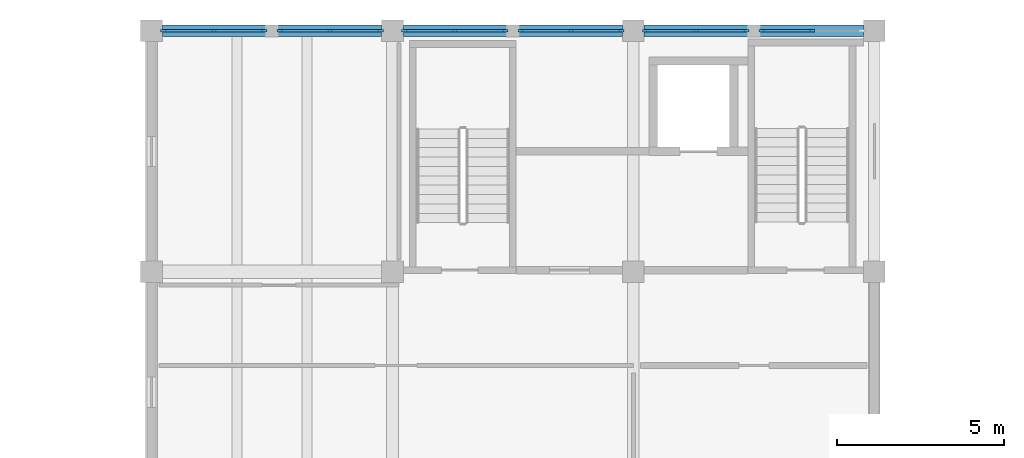
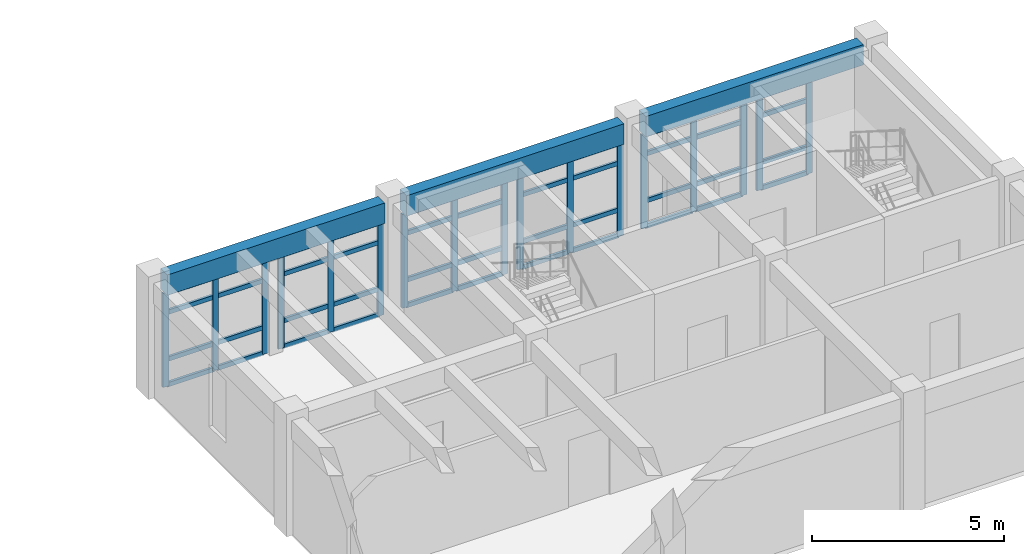
# One storey, part 2 of 13: 61 members, 3 beams, 6 elements without a shape of their own.
"""IFC4 building model written with IfcOpenShell, lengths in metres."""

from ifc_helpers import new_model, si_unit, direction, frame, origin, origin_2d, place, context, subcontext, project, spatial, rectangle, extrude, material, layer, layer_set, material_profile, profile_set, type_object, element, aggregate, save


model = new_model("IFC4")

# Units and contexts
model_context = context("Model", 3, precision=1e-05, world=origin(), true_north=direction((0.0, 1.0)))
body_context = subcontext(model_context, "Body", "Model", "MODEL_VIEW")
ifc_project = project(units=[si_unit("LENGTHUNIT", "METRE"), si_unit("AREAUNIT", "SQUARE_METRE"), si_unit("VOLUMEUNIT", "CUBIC_METRE"), si_unit("PLANEANGLEUNIT", "RADIAN"), si_unit("MASSUNIT", "GRAM", prefix="KILO")], contexts=[model_context])

# Site, building, storey
site_placement = place(None, origin())
site = spatial("IfcSite", under=ifc_project, at=site_placement, CompositionType="ELEMENT")
building_placement = place(site_placement, origin())
building = spatial("IfcBuilding", under=site, at=building_placement, Name="Koriwan Promenade Central Fire Station", CompositionType="ELEMENT")
storey_placement = place(building_placement, frame((0.0, 0.0, 13.5)))
storey = spatial("IfcBuildingStorey", under=building, at=storey_placement, Name="L03", CompositionType="ELEMENT", Elevation=13.5)

# Beams
ifc_material_1 = material(Name="Concrete C35/45", Category="concrete")
ifc_material_profile_1 = material_profile(ifc_material_1, rectangle(XDim=0.35009765625, YDim=0.64990234375, at=origin_2d()), Name="RC-SP-350x650")
ifc_profile_set_1 = profile_set([ifc_material_profile_1], Name="Concrete C35/45")
beam_type = type_object("IfcBeamType", Name="Beam_RC-SP-350x650", PredefinedType="SPANDREL", material=ifc_profile_set_1)
beam_1_placement = place(storey_placement, frame((79.52490234375, 115.199951171875, 3.324951171875), z_axis=(1.0, 0.0, 0.0), x_axis=(0.0, 1.0, 0.0)))
element("IfcBeam", 1, at=beam_1_placement, inside=storey, type_object=beam_type, Name="V2 L03 girder X-163", PredefinedType="SPANDREL", context=body_context, shape_type="SweptSolid", body=[
    extrude(rectangle(XDim=0.35009765625, YDim=0.64990234375, at=origin_2d()), origin(), (0.0, 0.0, 1.0), 6.550048828125),
])
beam_2_placement = place(storey_placement, frame((86.72509765625, 115.199951171875, 3.324951171875), z_axis=(1.0, 0.0, 0.0), x_axis=(0.0, 1.0, 0.0)))
element("IfcBeam", 2, at=beam_2_placement, inside=storey, type_object=beam_type, Name="V2 L03 girder X-164", PredefinedType="SPANDREL", context=body_context, shape_type="SweptSolid", body=[
    extrude(rectangle(XDim=0.35009765625, YDim=0.64990234375, at=origin_2d()), origin(), (0.0, 0.0, 1.0), 6.5498046875),
])
beam_3_placement = place(storey_placement, frame((93.925048828125, 115.199951171875, 3.324951171875), z_axis=(1.0, 0.0, 0.0), x_axis=(0.0, 1.0, 0.0)))
element("IfcBeam", 3, at=beam_3_placement, inside=storey, type_object=beam_type, Name="V2 L03 girder X-165", PredefinedType="SPANDREL", context=body_context, shape_type="SweptSolid", body=[
    extrude(rectangle(XDim=0.35009765625, YDim=0.64990234375, at=origin_2d()), origin(), (0.0, 0.0, 1.0), 6.550048828125),
])

# Curtain wall, members
ifc_material_2 = material(Name="Aluminium EN AW-6063-T6 and low-E glazing", Category="aluminium")
ifc_layer_1 = layer(ifc_material_2, 0.159912109375, Name="Aluminium EN AW-6063-T6 and low-E glazing")
ifc_layer_set_1 = layer_set([ifc_layer_1], Name="Aluminium EN AW-6063-T6 and low-E glazing")
curtain_wall_type_1 = type_object("IfcCurtainWallType", Name="CurtainWall_11_307x299", PredefinedType="USERDEFINED", material=ifc_layer_set_1)
curtain_wall_1_placement = place(storey_placement, origin())
curtain_wall_1 = element("IfcCurtainWall", 4, at=curtain_wall_1_placement, inside=storey, type_object=curtain_wall_type_1, Name="V2 L03 unitised curtain wall 033", ObjectType="UNITISED CURTAIN WALL", PredefinedType="USERDEFINED")
ifc_material_3 = material(Name="Aluminium EN AW-6063-T6", Category="aluminium")
ifc_material_profile_2 = material_profile(ifc_material_3, rectangle(XDim=0.074951171875, YDim=0.179931640625, at=origin_2d()), Name="ALU-MUL-75x180")
ifc_profile_set_2 = profile_set([ifc_material_profile_2], Name="Aluminium EN AW-6063-T6")
member_type_1 = type_object("IfcMemberType", Name="CWMullion_ALU-MUL-75x180", PredefinedType="MULLION", material=ifc_profile_set_2)
member_1_placement = place(storey_placement, frame((98.9375, 115.199951171875, 0.0), z_axis=(0.0, 0.0, 1.0), x_axis=(0.0, -1.0, 0.0)))
member_1 = element("IfcMember", 5, at=member_1_placement, type_object=member_type_1, Name="CW-11 mullion 2", PredefinedType="MULLION", context=body_context, shape_type="SweptSolid", body=[
    extrude(rectangle(XDim=0.074951171875, YDim=0.179931640625, at=origin_2d()), origin(), (0.0, 0.0, 1.0), 2.989990234375),
])
member_2_placement = place(storey_placement, frame((97.4375, 115.199951171875, 0.0), z_axis=(0.0, 0.0, 1.0), x_axis=(0.0, -1.0, 0.0)))
member_2 = element("IfcMember", 6, at=member_2_placement, type_object=member_type_1, Name="CW-11 mullion 3", PredefinedType="MULLION", context=body_context, shape_type="SweptSolid", body=[
    extrude(rectangle(XDim=0.074951171875, YDim=0.179931640625, at=origin_2d()), origin(), (0.0, 0.0, 1.0), 2.989990234375),
])

ifc_layer_2 = layer(ifc_material_2, 0.159912109375, Name="Aluminium EN AW-6063-T6 and low-E glazing")
ifc_layer_set_2 = layer_set([ifc_layer_2], Name="Aluminium EN AW-6063-T6 and low-E glazing")
curtain_wall_type_2 = type_object("IfcCurtainWallType", Name="CurtainWall_12_308x299", PredefinedType="USERDEFINED", material=ifc_layer_set_2)
curtain_wall_2_placement = place(storey_placement, origin())
curtain_wall_2 = element("IfcCurtainWall", 7, at=curtain_wall_2_placement, inside=storey, type_object=curtain_wall_type_2, Name="V2 L03 unitised curtain wall 034", ObjectType="UNITISED CURTAIN WALL", PredefinedType="USERDEFINED")
member_3_placement = place(storey_placement, frame((96.96240234375, 115.199951171875, 0.0), z_axis=(0.0, 0.0, 1.0), x_axis=(0.0, -1.0, 0.0)))
member_3 = element("IfcMember", 8, at=member_3_placement, type_object=member_type_1, Name="CW-12 mullion 1", PredefinedType="MULLION", context=body_context, shape_type="SweptSolid", body=[
    extrude(rectangle(XDim=0.074951171875, YDim=0.179931640625, at=origin_2d()), origin(), (0.0, 0.0, 1.0), 2.989990234375),
])
member_4_placement = place(storey_placement, frame((95.46240234375, 115.199951171875, 0.0), z_axis=(0.0, 0.0, 1.0), x_axis=(0.0, -1.0, 0.0)))
member_4 = element("IfcMember", 9, at=member_4_placement, type_object=member_type_1, Name="CW-12 mullion 2", PredefinedType="MULLION", context=body_context, shape_type="SweptSolid", body=[
    extrude(rectangle(XDim=0.074951171875, YDim=0.179931640625, at=origin_2d()), origin(), (0.0, 0.0, 1.0), 2.989990234375),
])
member_5_placement = place(storey_placement, frame((93.96240234375, 115.199951171875, 0.0), z_axis=(0.0, 0.0, 1.0), x_axis=(0.0, -1.0, 0.0)))
member_5 = element("IfcMember", 10, at=member_5_placement, type_object=member_type_1, Name="CW-12 mullion 3", PredefinedType="MULLION", context=body_context, shape_type="SweptSolid", body=[
    extrude(rectangle(XDim=0.074951171875, YDim=0.179931640625, at=origin_2d()), origin(), (0.0, 0.0, 1.0), 2.989990234375),
])

curtain_wall_3_placement = place(storey_placement, origin())
curtain_wall_3 = element("IfcCurtainWall", 11, at=curtain_wall_3_placement, inside=storey, type_object=curtain_wall_type_2, Name="V2 L03 unitised curtain wall 035", ObjectType="UNITISED CURTAIN WALL", PredefinedType="USERDEFINED")
member_6_placement = place(storey_placement, frame((93.237548828125, 115.199951171875, 0.0), z_axis=(0.0, 0.0, 1.0), x_axis=(0.0, -1.0, 0.0)))
member_6 = element("IfcMember", 12, at=member_6_placement, type_object=member_type_1, Name="CW-12 mullion 1", PredefinedType="MULLION", context=body_context, shape_type="SweptSolid", body=[
    extrude(rectangle(XDim=0.074951171875, YDim=0.179931640625, at=origin_2d()), origin(), (0.0, 0.0, 1.0), 2.989990234375),
])
member_7_placement = place(storey_placement, frame((91.737548828125, 115.199951171875, 0.0), z_axis=(0.0, 0.0, 1.0), x_axis=(0.0, -1.0, 0.0)))
member_7 = element("IfcMember", 13, at=member_7_placement, type_object=member_type_1, Name="CW-12 mullion 2", PredefinedType="MULLION", context=body_context, shape_type="SweptSolid", body=[
    extrude(rectangle(XDim=0.074951171875, YDim=0.179931640625, at=origin_2d()), origin(), (0.0, 0.0, 1.0), 2.989990234375),
])
member_8_placement = place(storey_placement, frame((90.237548828125, 115.199951171875, 0.0), z_axis=(0.0, 0.0, 1.0), x_axis=(0.0, -1.0, 0.0)))
member_8 = element("IfcMember", 14, at=member_8_placement, type_object=member_type_1, Name="CW-12 mullion 3", PredefinedType="MULLION", context=body_context, shape_type="SweptSolid", body=[
    extrude(rectangle(XDim=0.074951171875, YDim=0.179931640625, at=origin_2d()), origin(), (0.0, 0.0, 1.0), 2.989990234375),
])

curtain_wall_4_placement = place(storey_placement, origin())
curtain_wall_4 = element("IfcCurtainWall", 15, at=curtain_wall_4_placement, inside=storey, type_object=curtain_wall_type_2, Name="V2 L03 unitised curtain wall 036", ObjectType="UNITISED CURTAIN WALL", PredefinedType="USERDEFINED")
member_9_placement = place(storey_placement, frame((89.762451171875, 115.199951171875, 0.0), z_axis=(0.0, 0.0, 1.0), x_axis=(0.0, -1.0, 0.0)))
member_9 = element("IfcMember", 16, at=member_9_placement, type_object=member_type_1, Name="CW-12 mullion 1", PredefinedType="MULLION", context=body_context, shape_type="SweptSolid", body=[
    extrude(rectangle(XDim=0.074951171875, YDim=0.179931640625, at=origin_2d()), origin(), (0.0, 0.0, 1.0), 2.989990234375),
])
member_10_placement = place(storey_placement, frame((88.262451171875, 115.199951171875, 0.0), z_axis=(0.0, 0.0, 1.0), x_axis=(0.0, -1.0, 0.0)))
member_10 = element("IfcMember", 17, at=member_10_placement, type_object=member_type_1, Name="CW-12 mullion 2", PredefinedType="MULLION", context=body_context, shape_type="SweptSolid", body=[
    extrude(rectangle(XDim=0.074951171875, YDim=0.179931640625, at=origin_2d()), origin(), (0.0, 0.0, 1.0), 2.989990234375),
])
member_11_placement = place(storey_placement, frame((86.762451171875, 115.199951171875, 0.0), z_axis=(0.0, 0.0, 1.0), x_axis=(0.0, -1.0, 0.0)))
member_11 = element("IfcMember", 18, at=member_11_placement, type_object=member_type_1, Name="CW-12 mullion 3", PredefinedType="MULLION", context=body_context, shape_type="SweptSolid", body=[
    extrude(rectangle(XDim=0.074951171875, YDim=0.179931640625, at=origin_2d()), origin(), (0.0, 0.0, 1.0), 2.989990234375),
])

curtain_wall_5_placement = place(storey_placement, origin())
curtain_wall_5 = element("IfcCurtainWall", 19, at=curtain_wall_5_placement, inside=storey, type_object=curtain_wall_type_2, Name="V2 L03 unitised curtain wall 037", ObjectType="UNITISED CURTAIN WALL", PredefinedType="USERDEFINED")
member_12_placement = place(storey_placement, frame((86.03759765625, 115.199951171875, 0.0), z_axis=(0.0, 0.0, 1.0), x_axis=(0.0, -1.0, 0.0)))
member_12 = element("IfcMember", 20, at=member_12_placement, type_object=member_type_1, Name="CW-12 mullion 1", PredefinedType="MULLION", context=body_context, shape_type="SweptSolid", body=[
    extrude(rectangle(XDim=0.074951171875, YDim=0.179931640625, at=origin_2d()), origin(), (0.0, 0.0, 1.0), 2.989990234375),
])
member_13_placement = place(storey_placement, frame((84.53759765625, 115.199951171875, 0.0), z_axis=(0.0, 0.0, 1.0), x_axis=(0.0, -1.0, 0.0)))
member_13 = element("IfcMember", 21, at=member_13_placement, type_object=member_type_1, Name="CW-12 mullion 2", PredefinedType="MULLION", context=body_context, shape_type="SweptSolid", body=[
    extrude(rectangle(XDim=0.074951171875, YDim=0.179931640625, at=origin_2d()), origin(), (0.0, 0.0, 1.0), 2.989990234375),
])
member_14_placement = place(storey_placement, frame((83.03759765625, 115.199951171875, 0.0), z_axis=(0.0, 0.0, 1.0), x_axis=(0.0, -1.0, 0.0)))
member_14 = element("IfcMember", 22, at=member_14_placement, type_object=member_type_1, Name="CW-12 mullion 3", PredefinedType="MULLION", context=body_context, shape_type="SweptSolid", body=[
    extrude(rectangle(XDim=0.074951171875, YDim=0.179931640625, at=origin_2d()), origin(), (0.0, 0.0, 1.0), 2.989990234375),
])

curtain_wall_6_placement = place(storey_placement, origin())
curtain_wall_6 = element("IfcCurtainWall", 23, at=curtain_wall_6_placement, inside=storey, type_object=curtain_wall_type_1, Name="V2 L03 unitised curtain wall 038", ObjectType="UNITISED CURTAIN WALL", PredefinedType="USERDEFINED")
member_15_placement = place(storey_placement, frame((82.5625, 115.199951171875, 0.0), z_axis=(0.0, 0.0, 1.0), x_axis=(0.0, -1.0, 0.0)))
member_15 = element("IfcMember", 24, at=member_15_placement, type_object=member_type_1, Name="CW-11 mullion 1", PredefinedType="MULLION", context=body_context, shape_type="SweptSolid", body=[
    extrude(rectangle(XDim=0.074951171875, YDim=0.179931640625, at=origin_2d()), origin(), (0.0, 0.0, 1.0), 2.989990234375),
])
member_16_placement = place(storey_placement, frame((81.0625, 115.199951171875, 0.0), z_axis=(0.0, 0.0, 1.0), x_axis=(0.0, -1.0, 0.0)))
member_16 = element("IfcMember", 25, at=member_16_placement, type_object=member_type_1, Name="CW-11 mullion 2", PredefinedType="MULLION", context=body_context, shape_type="SweptSolid", body=[
    extrude(rectangle(XDim=0.074951171875, YDim=0.179931640625, at=origin_2d()), origin(), (0.0, 0.0, 1.0), 2.989990234375),
])
member_17_placement = place(storey_placement, frame((79.5625, 115.199951171875, 0.0), z_axis=(0.0, 0.0, 1.0), x_axis=(0.0, -1.0, 0.0)))
member_17 = element("IfcMember", 26, at=member_17_placement, type_object=member_type_1, Name="CW-11 mullion 3", PredefinedType="MULLION", context=body_context, shape_type="SweptSolid", body=[
    extrude(rectangle(XDim=0.074951171875, YDim=0.179931640625, at=origin_2d()), origin(), (0.0, 0.0, 1.0), 2.989990234375),
])

# Member
ifc_material_profile_3 = material_profile(ifc_material_3, rectangle(XDim=0.074951171875, YDim=0.139892578125, at=origin_2d()), Name="ALU-TRN-75x140")
ifc_profile_set_3 = profile_set([ifc_material_profile_3], Name="Aluminium EN AW-6063-T6")
member_type_2 = type_object("IfcMemberType", Name="CWTransom_ALU-TRN-75x140", PredefinedType="USERDEFINED", material=ifc_profile_set_3)
member_18_placement = place(storey_placement, frame((98.89990234375, 115.199951171875, 0.03759765625), z_axis=(-1.0, 0.0, 0.0), x_axis=(0.0, -1.0, 0.0)))
member_18 = element("IfcMember", 27, at=member_18_placement, type_object=member_type_2, Name="CW-11 transom 2.1", ObjectType="TRANSOM", PredefinedType="USERDEFINED", context=body_context, shape_type="SweptSolid", body=[
    extrude(rectangle(XDim=0.074951171875, YDim=0.139892578125, at=origin_2d()), origin(), (0.0, 0.0, 1.0), 1.4248046875),
])

member_19_placement = place(storey_placement, frame((98.89990234375, 115.199951171875, 0.85009765625), z_axis=(-1.0, 0.0, 0.0), x_axis=(0.0, -1.0, 0.0)))
member_19 = element("IfcMember", 28, at=member_19_placement, type_object=member_type_2, Name="CW-11 transom 2.2", ObjectType="TRANSOM", PredefinedType="USERDEFINED", context=body_context, shape_type="SweptSolid", body=[
    extrude(rectangle(XDim=0.074951171875, YDim=0.139892578125, at=origin_2d()), origin(), (0.0, 0.0, 1.0), 1.4248046875),
])

member_20_placement = place(storey_placement, frame((98.89990234375, 115.199951171875, 2.340087890625), z_axis=(-1.0, 0.0, 0.0), x_axis=(0.0, -1.0, 0.0)))
member_20 = element("IfcMember", 29, at=member_20_placement, type_object=member_type_2, Name="CW-11 transom 2.3", ObjectType="TRANSOM", PredefinedType="USERDEFINED", context=body_context, shape_type="SweptSolid", body=[
    extrude(rectangle(XDim=0.074951171875, YDim=0.139892578125, at=origin_2d()), origin(), (0.0, 0.0, 1.0), 1.4248046875),
])

member_21_placement = place(storey_placement, frame((98.89990234375, 115.199951171875, 2.952392578125), z_axis=(-1.0, 0.0, 0.0), x_axis=(0.0, -1.0, 0.0)))
member_21 = element("IfcMember", 30, at=member_21_placement, type_object=member_type_2, Name="CW-11 transom 2.4", ObjectType="TRANSOM", PredefinedType="USERDEFINED", context=body_context, shape_type="SweptSolid", body=[
    extrude(rectangle(XDim=0.074951171875, YDim=0.139892578125, at=origin_2d()), origin(), (0.0, 0.0, 1.0), 1.4248046875),
])

aggregate(curtain_wall_1, [member_1, member_2, member_18, member_19, member_20, member_21])

member_22_placement = place(storey_placement, frame((96.925048828125, 115.199951171875, 0.03759765625), z_axis=(-1.0, 0.0, 0.0), x_axis=(0.0, -1.0, 0.0)))
member_22 = element("IfcMember", 31, at=member_22_placement, type_object=member_type_2, Name="CW-12 transom 1.1", ObjectType="TRANSOM", PredefinedType="USERDEFINED", context=body_context, shape_type="SweptSolid", body=[
    extrude(rectangle(XDim=0.074951171875, YDim=0.139892578125, at=origin_2d()), origin(), (0.0, 0.0, 1.0), 1.425048828125),
])

member_23_placement = place(storey_placement, frame((96.925048828125, 115.199951171875, 0.85009765625), z_axis=(-1.0, 0.0, 0.0), x_axis=(0.0, -1.0, 0.0)))
member_23 = element("IfcMember", 32, at=member_23_placement, type_object=member_type_2, Name="CW-12 transom 1.2", ObjectType="TRANSOM", PredefinedType="USERDEFINED", context=body_context, shape_type="SweptSolid", body=[
    extrude(rectangle(XDim=0.074951171875, YDim=0.139892578125, at=origin_2d()), origin(), (0.0, 0.0, 1.0), 1.425048828125),
])

member_24_placement = place(storey_placement, frame((96.925048828125, 115.199951171875, 2.340087890625), z_axis=(-1.0, 0.0, 0.0), x_axis=(0.0, -1.0, 0.0)))
member_24 = element("IfcMember", 33, at=member_24_placement, type_object=member_type_2, Name="CW-12 transom 1.3", ObjectType="TRANSOM", PredefinedType="USERDEFINED", context=body_context, shape_type="SweptSolid", body=[
    extrude(rectangle(XDim=0.074951171875, YDim=0.139892578125, at=origin_2d()), origin(), (0.0, 0.0, 1.0), 1.425048828125),
])

member_25_placement = place(storey_placement, frame((96.925048828125, 115.199951171875, 2.952392578125), z_axis=(-1.0, 0.0, 0.0), x_axis=(0.0, -1.0, 0.0)))
member_25 = element("IfcMember", 34, at=member_25_placement, type_object=member_type_2, Name="CW-12 transom 1.4", ObjectType="TRANSOM", PredefinedType="USERDEFINED", context=body_context, shape_type="SweptSolid", body=[
    extrude(rectangle(XDim=0.074951171875, YDim=0.139892578125, at=origin_2d()), origin(), (0.0, 0.0, 1.0), 1.425048828125),
])

member_26_placement = place(storey_placement, frame((95.425048828125, 115.199951171875, 0.03759765625), z_axis=(-1.0, 0.0, 0.0), x_axis=(0.0, -1.0, 0.0)))
member_26 = element("IfcMember", 35, at=member_26_placement, type_object=member_type_2, Name="CW-12 transom 2.1", ObjectType="TRANSOM", PredefinedType="USERDEFINED", context=body_context, shape_type="SweptSolid", body=[
    extrude(rectangle(XDim=0.074951171875, YDim=0.139892578125, at=origin_2d()), origin(), (0.0, 0.0, 1.0), 1.425048828125),
])

member_27_placement = place(storey_placement, frame((95.425048828125, 115.199951171875, 0.85009765625), z_axis=(-1.0, 0.0, 0.0), x_axis=(0.0, -1.0, 0.0)))
member_27 = element("IfcMember", 36, at=member_27_placement, type_object=member_type_2, Name="CW-12 transom 2.2", ObjectType="TRANSOM", PredefinedType="USERDEFINED", context=body_context, shape_type="SweptSolid", body=[
    extrude(rectangle(XDim=0.074951171875, YDim=0.139892578125, at=origin_2d()), origin(), (0.0, 0.0, 1.0), 1.425048828125),
])

member_28_placement = place(storey_placement, frame((95.425048828125, 115.199951171875, 2.340087890625), z_axis=(-1.0, 0.0, 0.0), x_axis=(0.0, -1.0, 0.0)))
member_28 = element("IfcMember", 37, at=member_28_placement, type_object=member_type_2, Name="CW-12 transom 2.3", ObjectType="TRANSOM", PredefinedType="USERDEFINED", context=body_context, shape_type="SweptSolid", body=[
    extrude(rectangle(XDim=0.074951171875, YDim=0.139892578125, at=origin_2d()), origin(), (0.0, 0.0, 1.0), 1.425048828125),
])

member_29_placement = place(storey_placement, frame((95.425048828125, 115.199951171875, 2.952392578125), z_axis=(-1.0, 0.0, 0.0), x_axis=(0.0, -1.0, 0.0)))
member_29 = element("IfcMember", 38, at=member_29_placement, type_object=member_type_2, Name="CW-12 transom 2.4", ObjectType="TRANSOM", PredefinedType="USERDEFINED", context=body_context, shape_type="SweptSolid", body=[
    extrude(rectangle(XDim=0.074951171875, YDim=0.139892578125, at=origin_2d()), origin(), (0.0, 0.0, 1.0), 1.425048828125),
])

aggregate(curtain_wall_2, [member_3, member_4, member_5, member_22, member_23, member_24, member_25, member_26, member_27, member_28, member_29])

member_30_placement = place(storey_placement, frame((93.199951171875, 115.199951171875, 0.03759765625), z_axis=(-1.0, 0.0, 0.0), x_axis=(0.0, -1.0, 0.0)))
member_30 = element("IfcMember", 39, at=member_30_placement, type_object=member_type_2, Name="CW-12 transom 1.1", ObjectType="TRANSOM", PredefinedType="USERDEFINED", context=body_context, shape_type="SweptSolid", body=[
    extrude(rectangle(XDim=0.074951171875, YDim=0.139892578125, at=origin_2d()), origin(), (0.0, 0.0, 1.0), 1.425048828125),
])

member_31_placement = place(storey_placement, frame((93.199951171875, 115.199951171875, 0.85009765625), z_axis=(-1.0, 0.0, 0.0), x_axis=(0.0, -1.0, 0.0)))
member_31 = element("IfcMember", 40, at=member_31_placement, type_object=member_type_2, Name="CW-12 transom 1.2", ObjectType="TRANSOM", PredefinedType="USERDEFINED", context=body_context, shape_type="SweptSolid", body=[
    extrude(rectangle(XDim=0.074951171875, YDim=0.139892578125, at=origin_2d()), origin(), (0.0, 0.0, 1.0), 1.425048828125),
])

member_32_placement = place(storey_placement, frame((93.199951171875, 115.199951171875, 2.340087890625), z_axis=(-1.0, 0.0, 0.0), x_axis=(0.0, -1.0, 0.0)))
member_32 = element("IfcMember", 41, at=member_32_placement, type_object=member_type_2, Name="CW-12 transom 1.3", ObjectType="TRANSOM", PredefinedType="USERDEFINED", context=body_context, shape_type="SweptSolid", body=[
    extrude(rectangle(XDim=0.074951171875, YDim=0.139892578125, at=origin_2d()), origin(), (0.0, 0.0, 1.0), 1.425048828125),
])

member_33_placement = place(storey_placement, frame((93.199951171875, 115.199951171875, 2.952392578125), z_axis=(-1.0, 0.0, 0.0), x_axis=(0.0, -1.0, 0.0)))
member_33 = element("IfcMember", 42, at=member_33_placement, type_object=member_type_2, Name="CW-12 transom 1.4", ObjectType="TRANSOM", PredefinedType="USERDEFINED", context=body_context, shape_type="SweptSolid", body=[
    extrude(rectangle(XDim=0.074951171875, YDim=0.139892578125, at=origin_2d()), origin(), (0.0, 0.0, 1.0), 1.425048828125),
])

member_34_placement = place(storey_placement, frame((91.699951171875, 115.199951171875, 0.03759765625), z_axis=(-1.0, 0.0, 0.0), x_axis=(0.0, -1.0, 0.0)))
member_34 = element("IfcMember", 43, at=member_34_placement, type_object=member_type_2, Name="CW-12 transom 2.1", ObjectType="TRANSOM", PredefinedType="USERDEFINED", context=body_context, shape_type="SweptSolid", body=[
    extrude(rectangle(XDim=0.074951171875, YDim=0.139892578125, at=origin_2d()), origin(), (0.0, 0.0, 1.0), 1.425048828125),
])

member_35_placement = place(storey_placement, frame((91.699951171875, 115.199951171875, 0.85009765625), z_axis=(-1.0, 0.0, 0.0), x_axis=(0.0, -1.0, 0.0)))
member_35 = element("IfcMember", 44, at=member_35_placement, type_object=member_type_2, Name="CW-12 transom 2.2", ObjectType="TRANSOM", PredefinedType="USERDEFINED", context=body_context, shape_type="SweptSolid", body=[
    extrude(rectangle(XDim=0.074951171875, YDim=0.139892578125, at=origin_2d()), origin(), (0.0, 0.0, 1.0), 1.425048828125),
])

member_36_placement = place(storey_placement, frame((91.699951171875, 115.199951171875, 2.340087890625), z_axis=(-1.0, 0.0, 0.0), x_axis=(0.0, -1.0, 0.0)))
member_36 = element("IfcMember", 45, at=member_36_placement, type_object=member_type_2, Name="CW-12 transom 2.3", ObjectType="TRANSOM", PredefinedType="USERDEFINED", context=body_context, shape_type="SweptSolid", body=[
    extrude(rectangle(XDim=0.074951171875, YDim=0.139892578125, at=origin_2d()), origin(), (0.0, 0.0, 1.0), 1.425048828125),
])

member_37_placement = place(storey_placement, frame((91.699951171875, 115.199951171875, 2.952392578125), z_axis=(-1.0, 0.0, 0.0), x_axis=(0.0, -1.0, 0.0)))
member_37 = element("IfcMember", 46, at=member_37_placement, type_object=member_type_2, Name="CW-12 transom 2.4", ObjectType="TRANSOM", PredefinedType="USERDEFINED", context=body_context, shape_type="SweptSolid", body=[
    extrude(rectangle(XDim=0.074951171875, YDim=0.139892578125, at=origin_2d()), origin(), (0.0, 0.0, 1.0), 1.425048828125),
])

aggregate(curtain_wall_3, [member_6, member_7, member_8, member_30, member_31, member_32, member_33, member_34, member_35, member_36, member_37])

member_38_placement = place(storey_placement, frame((89.72509765625, 115.199951171875, 0.03759765625), z_axis=(-1.0, 0.0, 0.0), x_axis=(0.0, -1.0, 0.0)))
member_38 = element("IfcMember", 47, at=member_38_placement, type_object=member_type_2, Name="CW-12 transom 1.1", ObjectType="TRANSOM", PredefinedType="USERDEFINED", context=body_context, shape_type="SweptSolid", body=[
    extrude(rectangle(XDim=0.074951171875, YDim=0.139892578125, at=origin_2d()), origin(), (0.0, 0.0, 1.0), 1.425048828125),
])

member_39_placement = place(storey_placement, frame((89.72509765625, 115.199951171875, 0.85009765625), z_axis=(-1.0, 0.0, 0.0), x_axis=(0.0, -1.0, 0.0)))
member_39 = element("IfcMember", 48, at=member_39_placement, type_object=member_type_2, Name="CW-12 transom 1.2", ObjectType="TRANSOM", PredefinedType="USERDEFINED", context=body_context, shape_type="SweptSolid", body=[
    extrude(rectangle(XDim=0.074951171875, YDim=0.139892578125, at=origin_2d()), origin(), (0.0, 0.0, 1.0), 1.425048828125),
])

member_40_placement = place(storey_placement, frame((89.72509765625, 115.199951171875, 2.340087890625), z_axis=(-1.0, 0.0, 0.0), x_axis=(0.0, -1.0, 0.0)))
member_40 = element("IfcMember", 49, at=member_40_placement, type_object=member_type_2, Name="CW-12 transom 1.3", ObjectType="TRANSOM", PredefinedType="USERDEFINED", context=body_context, shape_type="SweptSolid", body=[
    extrude(rectangle(XDim=0.074951171875, YDim=0.139892578125, at=origin_2d()), origin(), (0.0, 0.0, 1.0), 1.425048828125),
])

member_41_placement = place(storey_placement, frame((89.72509765625, 115.199951171875, 2.952392578125), z_axis=(-1.0, 0.0, 0.0), x_axis=(0.0, -1.0, 0.0)))
member_41 = element("IfcMember", 50, at=member_41_placement, type_object=member_type_2, Name="CW-12 transom 1.4", ObjectType="TRANSOM", PredefinedType="USERDEFINED", context=body_context, shape_type="SweptSolid", body=[
    extrude(rectangle(XDim=0.074951171875, YDim=0.139892578125, at=origin_2d()), origin(), (0.0, 0.0, 1.0), 1.425048828125),
])

member_42_placement = place(storey_placement, frame((88.22509765625, 115.199951171875, 0.03759765625), z_axis=(-1.0, 0.0, 0.0), x_axis=(0.0, -1.0, 0.0)))
member_42 = element("IfcMember", 51, at=member_42_placement, type_object=member_type_2, Name="CW-12 transom 2.1", ObjectType="TRANSOM", PredefinedType="USERDEFINED", context=body_context, shape_type="SweptSolid", body=[
    extrude(rectangle(XDim=0.074951171875, YDim=0.139892578125, at=origin_2d()), origin(), (0.0, 0.0, 1.0), 1.425048828125),
])

member_43_placement = place(storey_placement, frame((88.22509765625, 115.199951171875, 0.85009765625), z_axis=(-1.0, 0.0, 0.0), x_axis=(0.0, -1.0, 0.0)))
member_43 = element("IfcMember", 52, at=member_43_placement, type_object=member_type_2, Name="CW-12 transom 2.2", ObjectType="TRANSOM", PredefinedType="USERDEFINED", context=body_context, shape_type="SweptSolid", body=[
    extrude(rectangle(XDim=0.074951171875, YDim=0.139892578125, at=origin_2d()), origin(), (0.0, 0.0, 1.0), 1.425048828125),
])

member_44_placement = place(storey_placement, frame((88.22509765625, 115.199951171875, 2.340087890625), z_axis=(-1.0, 0.0, 0.0), x_axis=(0.0, -1.0, 0.0)))
member_44 = element("IfcMember", 53, at=member_44_placement, type_object=member_type_2, Name="CW-12 transom 2.3", ObjectType="TRANSOM", PredefinedType="USERDEFINED", context=body_context, shape_type="SweptSolid", body=[
    extrude(rectangle(XDim=0.074951171875, YDim=0.139892578125, at=origin_2d()), origin(), (0.0, 0.0, 1.0), 1.425048828125),
])

member_45_placement = place(storey_placement, frame((88.22509765625, 115.199951171875, 2.952392578125), z_axis=(-1.0, 0.0, 0.0), x_axis=(0.0, -1.0, 0.0)))
member_45 = element("IfcMember", 54, at=member_45_placement, type_object=member_type_2, Name="CW-12 transom 2.4", ObjectType="TRANSOM", PredefinedType="USERDEFINED", context=body_context, shape_type="SweptSolid", body=[
    extrude(rectangle(XDim=0.074951171875, YDim=0.139892578125, at=origin_2d()), origin(), (0.0, 0.0, 1.0), 1.425048828125),
])

aggregate(curtain_wall_4, [member_9, member_10, member_11, member_38, member_39, member_40, member_41, member_42, member_43, member_44, member_45])

member_46_placement = place(storey_placement, frame((86.0, 115.199951171875, 0.03759765625), z_axis=(-1.0, 0.0, 0.0), x_axis=(0.0, -1.0, 0.0)))
member_46 = element("IfcMember", 55, at=member_46_placement, type_object=member_type_2, Name="CW-12 transom 1.1", ObjectType="TRANSOM", PredefinedType="USERDEFINED", context=body_context, shape_type="SweptSolid", body=[
    extrude(rectangle(XDim=0.074951171875, YDim=0.139892578125, at=origin_2d()), origin(), (0.0, 0.0, 1.0), 1.425048828125),
])

member_47_placement = place(storey_placement, frame((86.0, 115.199951171875, 0.85009765625), z_axis=(-1.0, 0.0, 0.0), x_axis=(0.0, -1.0, 0.0)))
member_47 = element("IfcMember", 56, at=member_47_placement, type_object=member_type_2, Name="CW-12 transom 1.2", ObjectType="TRANSOM", PredefinedType="USERDEFINED", context=body_context, shape_type="SweptSolid", body=[
    extrude(rectangle(XDim=0.074951171875, YDim=0.139892578125, at=origin_2d()), origin(), (0.0, 0.0, 1.0), 1.425048828125),
])

member_48_placement = place(storey_placement, frame((86.0, 115.199951171875, 2.340087890625), z_axis=(-1.0, 0.0, 0.0), x_axis=(0.0, -1.0, 0.0)))
member_48 = element("IfcMember", 57, at=member_48_placement, type_object=member_type_2, Name="CW-12 transom 1.3", ObjectType="TRANSOM", PredefinedType="USERDEFINED", context=body_context, shape_type="SweptSolid", body=[
    extrude(rectangle(XDim=0.074951171875, YDim=0.139892578125, at=origin_2d()), origin(), (0.0, 0.0, 1.0), 1.425048828125),
])

member_49_placement = place(storey_placement, frame((86.0, 115.199951171875, 2.952392578125), z_axis=(-1.0, 0.0, 0.0), x_axis=(0.0, -1.0, 0.0)))
member_49 = element("IfcMember", 58, at=member_49_placement, type_object=member_type_2, Name="CW-12 transom 1.4", ObjectType="TRANSOM", PredefinedType="USERDEFINED", context=body_context, shape_type="SweptSolid", body=[
    extrude(rectangle(XDim=0.074951171875, YDim=0.139892578125, at=origin_2d()), origin(), (0.0, 0.0, 1.0), 1.425048828125),
])

member_50_placement = place(storey_placement, frame((84.5, 115.199951171875, 0.03759765625), z_axis=(-1.0, 0.0, 0.0), x_axis=(0.0, -1.0, 0.0)))
member_50 = element("IfcMember", 59, at=member_50_placement, type_object=member_type_2, Name="CW-12 transom 2.1", ObjectType="TRANSOM", PredefinedType="USERDEFINED", context=body_context, shape_type="SweptSolid", body=[
    extrude(rectangle(XDim=0.074951171875, YDim=0.139892578125, at=origin_2d()), origin(), (0.0, 0.0, 1.0), 1.425048828125),
])

member_51_placement = place(storey_placement, frame((84.5, 115.199951171875, 0.85009765625), z_axis=(-1.0, 0.0, 0.0), x_axis=(0.0, -1.0, 0.0)))
member_51 = element("IfcMember", 60, at=member_51_placement, type_object=member_type_2, Name="CW-12 transom 2.2", ObjectType="TRANSOM", PredefinedType="USERDEFINED", context=body_context, shape_type="SweptSolid", body=[
    extrude(rectangle(XDim=0.074951171875, YDim=0.139892578125, at=origin_2d()), origin(), (0.0, 0.0, 1.0), 1.425048828125),
])

member_52_placement = place(storey_placement, frame((84.5, 115.199951171875, 2.340087890625), z_axis=(-1.0, 0.0, 0.0), x_axis=(0.0, -1.0, 0.0)))
member_52 = element("IfcMember", 61, at=member_52_placement, type_object=member_type_2, Name="CW-12 transom 2.3", ObjectType="TRANSOM", PredefinedType="USERDEFINED", context=body_context, shape_type="SweptSolid", body=[
    extrude(rectangle(XDim=0.074951171875, YDim=0.139892578125, at=origin_2d()), origin(), (0.0, 0.0, 1.0), 1.425048828125),
])

member_53_placement = place(storey_placement, frame((84.5, 115.199951171875, 2.952392578125), z_axis=(-1.0, 0.0, 0.0), x_axis=(0.0, -1.0, 0.0)))
member_53 = element("IfcMember", 62, at=member_53_placement, type_object=member_type_2, Name="CW-12 transom 2.4", ObjectType="TRANSOM", PredefinedType="USERDEFINED", context=body_context, shape_type="SweptSolid", body=[
    extrude(rectangle(XDim=0.074951171875, YDim=0.139892578125, at=origin_2d()), origin(), (0.0, 0.0, 1.0), 1.425048828125),
])

aggregate(curtain_wall_5, [member_12, member_13, member_14, member_46, member_47, member_48, member_49, member_50, member_51, member_52, member_53])

member_54_placement = place(storey_placement, frame((82.52490234375, 115.199951171875, 0.03759765625), z_axis=(-1.0, 0.0, 0.0), x_axis=(0.0, -1.0, 0.0)))
member_54 = element("IfcMember", 63, at=member_54_placement, type_object=member_type_2, Name="CW-11 transom 1.1", ObjectType="TRANSOM", PredefinedType="USERDEFINED", context=body_context, shape_type="SweptSolid", body=[
    extrude(rectangle(XDim=0.074951171875, YDim=0.139892578125, at=origin_2d()), origin(), (0.0, 0.0, 1.0), 1.4248046875),
])

member_55_placement = place(storey_placement, frame((82.52490234375, 115.199951171875, 0.85009765625), z_axis=(-1.0, 0.0, 0.0), x_axis=(0.0, -1.0, 0.0)))
member_55 = element("IfcMember", 64, at=member_55_placement, type_object=member_type_2, Name="CW-11 transom 1.2", ObjectType="TRANSOM", PredefinedType="USERDEFINED", context=body_context, shape_type="SweptSolid", body=[
    extrude(rectangle(XDim=0.074951171875, YDim=0.139892578125, at=origin_2d()), origin(), (0.0, 0.0, 1.0), 1.4248046875),
])

member_56_placement = place(storey_placement, frame((82.52490234375, 115.199951171875, 2.340087890625), z_axis=(-1.0, 0.0, 0.0), x_axis=(0.0, -1.0, 0.0)))
member_56 = element("IfcMember", 65, at=member_56_placement, type_object=member_type_2, Name="CW-11 transom 1.3", ObjectType="TRANSOM", PredefinedType="USERDEFINED", context=body_context, shape_type="SweptSolid", body=[
    extrude(rectangle(XDim=0.074951171875, YDim=0.139892578125, at=origin_2d()), origin(), (0.0, 0.0, 1.0), 1.4248046875),
])

member_57_placement = place(storey_placement, frame((82.52490234375, 115.199951171875, 2.952392578125), z_axis=(-1.0, 0.0, 0.0), x_axis=(0.0, -1.0, 0.0)))
member_57 = element("IfcMember", 66, at=member_57_placement, type_object=member_type_2, Name="CW-11 transom 1.4", ObjectType="TRANSOM", PredefinedType="USERDEFINED", context=body_context, shape_type="SweptSolid", body=[
    extrude(rectangle(XDim=0.074951171875, YDim=0.139892578125, at=origin_2d()), origin(), (0.0, 0.0, 1.0), 1.4248046875),
])

member_58_placement = place(storey_placement, frame((81.02490234375, 115.199951171875, 0.03759765625), z_axis=(-1.0, 0.0, 0.0), x_axis=(0.0, -1.0, 0.0)))
member_58 = element("IfcMember", 67, at=member_58_placement, type_object=member_type_2, Name="CW-11 transom 2.1", ObjectType="TRANSOM", PredefinedType="USERDEFINED", context=body_context, shape_type="SweptSolid", body=[
    extrude(rectangle(XDim=0.074951171875, YDim=0.139892578125, at=origin_2d()), origin(), (0.0, 0.0, 1.0), 1.4248046875),
])

member_59_placement = place(storey_placement, frame((81.02490234375, 115.199951171875, 0.85009765625), z_axis=(-1.0, 0.0, 0.0), x_axis=(0.0, -1.0, 0.0)))
member_59 = element("IfcMember", 68, at=member_59_placement, type_object=member_type_2, Name="CW-11 transom 2.2", ObjectType="TRANSOM", PredefinedType="USERDEFINED", context=body_context, shape_type="SweptSolid", body=[
    extrude(rectangle(XDim=0.074951171875, YDim=0.139892578125, at=origin_2d()), origin(), (0.0, 0.0, 1.0), 1.4248046875),
])

member_60_placement = place(storey_placement, frame((81.02490234375, 115.199951171875, 2.340087890625), z_axis=(-1.0, 0.0, 0.0), x_axis=(0.0, -1.0, 0.0)))
member_60 = element("IfcMember", 69, at=member_60_placement, type_object=member_type_2, Name="CW-11 transom 2.3", ObjectType="TRANSOM", PredefinedType="USERDEFINED", context=body_context, shape_type="SweptSolid", body=[
    extrude(rectangle(XDim=0.074951171875, YDim=0.139892578125, at=origin_2d()), origin(), (0.0, 0.0, 1.0), 1.4248046875),
])

member_61_placement = place(storey_placement, frame((81.02490234375, 115.199951171875, 2.952392578125), z_axis=(-1.0, 0.0, 0.0), x_axis=(0.0, -1.0, 0.0)))
member_61 = element("IfcMember", 70, at=member_61_placement, type_object=member_type_2, Name="CW-11 transom 2.4", ObjectType="TRANSOM", PredefinedType="USERDEFINED", context=body_context, shape_type="SweptSolid", body=[
    extrude(rectangle(XDim=0.074951171875, YDim=0.139892578125, at=origin_2d()), origin(), (0.0, 0.0, 1.0), 1.4248046875),
])

aggregate(curtain_wall_6, [member_15, member_16, member_17, member_54, member_55, member_56, member_57, member_58, member_59, member_60, member_61])

save(model, "model.ifc")
